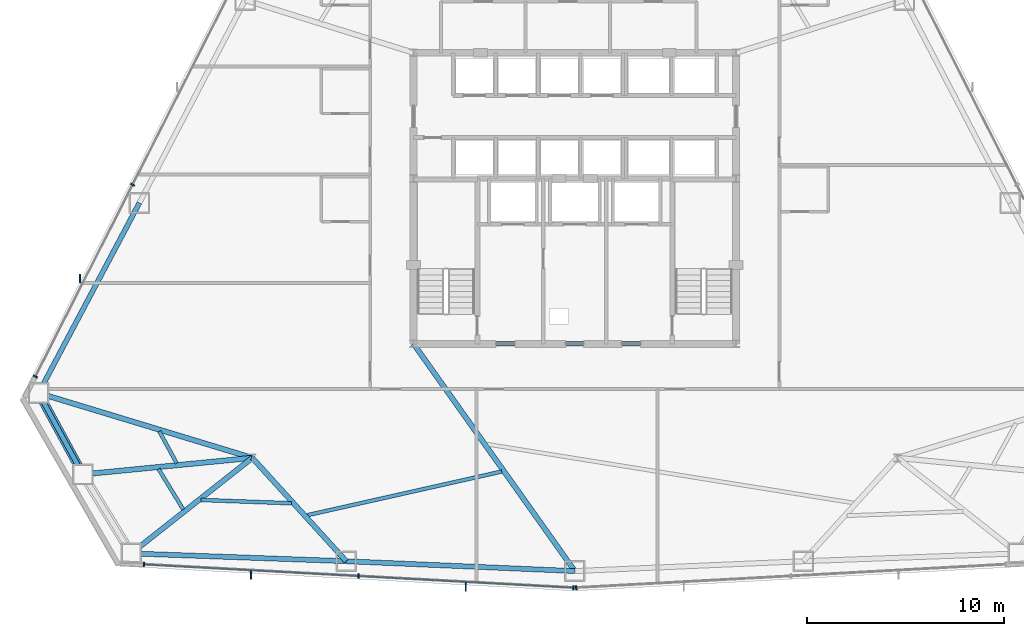
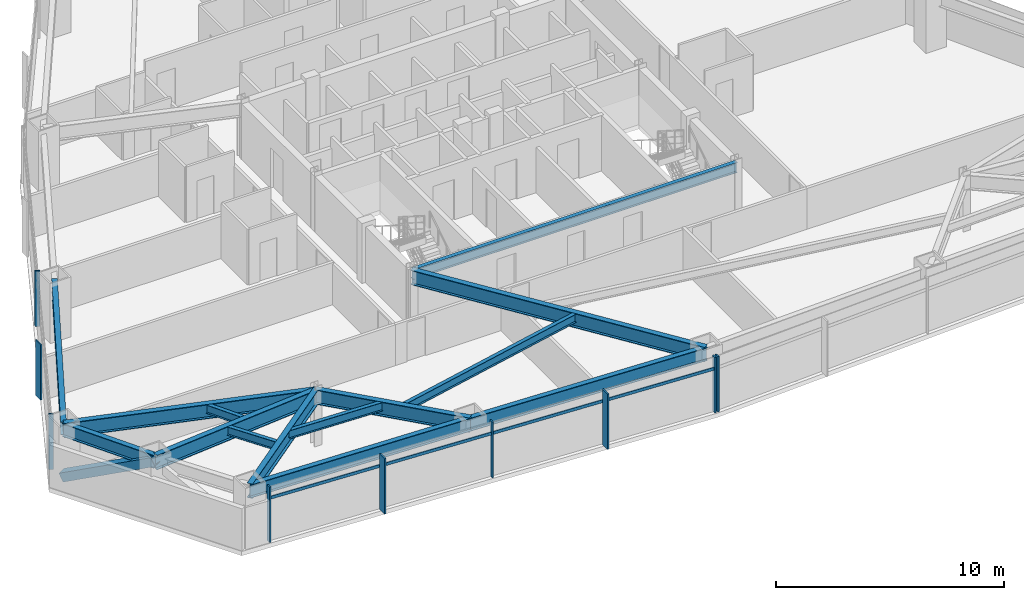
# One storey, part 4 of 12: 14 beams, 11 members, 3 elements without a shape of their own.
"""IFC4 building model written with IfcOpenShell, lengths in metres."""

import ifcopenshell
import ifcopenshell.guid

model = None  # the IFC model being written
_history = None  # IfcOwnerHistory: only IFC2X3 demands one
_inside = {}  # id of a spatial element -> (the spatial element, [elements in it])
_under = {}  # id of a project, library or spatial element -> (it, [spatial elements below it])
_declared = {}  # id of a project -> (the project, [libraries it declares])
_typed = {}  # id of a type object -> (the type object, [elements of that type])
_made_of = {}  # id of a material, layer set ... -> (it, [elements and type objects made of it])


def new_model(schema):
    """Start an empty IFC model of exactly this schema.

    Asked for "IFC4X3", IfcOpenShell would pick the latest addendum, in which some entities
    have other attributes; the version numbers below select the first issue.
    IFC2X3 requires an IfcOwnerHistory on every rooted entity: one is made here for all.
    """
    global model, _history
    if schema == "IFC4X3":
        model = ifcopenshell.file(schema_version=(4, 3, 0, 0))
    else:
        model = ifcopenshell.file(schema=schema)
    _inside.clear()
    _under.clear()
    _declared.clear()
    _typed.clear()
    _made_of.clear()
    _history = None
    if model.schema == "IFC2X3":
        org = make("IfcOrganization", Name="unknown")
        user = make(
            "IfcPersonAndOrganization",
            ThePerson=make("IfcPerson", FamilyName="unknown"),
            TheOrganization=org,
        )
        app = make(
            "IfcApplication",
            ApplicationDeveloper=org,
            Version="unknown",
            ApplicationFullName="unknown",
            ApplicationIdentifier="unknown",
        )
        _history = make(
            "IfcOwnerHistory",
            OwningUser=user,
            OwningApplication=app,
            ChangeAction="ADDED",
            CreationDate=0,
        )
    return model


def make(cls, **values):
    """One entity of the class cls with the attributes given. An attribute that is None is left unset."""
    return model.create_entity(
        cls, **{name: value for name, value in values.items() if value is not None}
    )


def rooted(cls, **values):
    """An entity with a GlobalId (a new one), such as an element, a storey or a relation."""
    return make(cls, GlobalId=ifcopenshell.guid.new(), OwnerHistory=_history, **values)


def si_unit(unit_type, name, prefix=None):
    """IfcSIUnit, for example si_unit("LENGTHUNIT", "METRE", prefix="MILLI")."""
    return make("IfcSIUnit", UnitType=unit_type, Prefix=prefix, Name=name)


def assignment(units):
    """IfcUnitAssignment: the units of a project."""
    return None if units is None else make("IfcUnitAssignment", Units=units)


def point(xyz):
    """IfcCartesianPoint."""
    return None if xyz is None else make("IfcCartesianPoint", Coordinates=xyz)


def direction(xyz):
    """IfcDirection."""
    return None if xyz is None else make("IfcDirection", DirectionRatios=xyz)


def frame(location, z_axis=None, x_axis=None):
    """IfcAxis2Placement3D, a coordinate frame: its origin and axes. An axis left out is left unset."""
    return make(
        "IfcAxis2Placement3D",
        Location=point(location),
        Axis=direction(z_axis),
        RefDirection=direction(x_axis),
    )


def frame_2d(location, x_axis=None):
    """IfcAxis2Placement2D, a coordinate frame in the plane: its origin and x axis."""
    return make(
        "IfcAxis2Placement2D", Location=point(location), RefDirection=direction(x_axis)
    )


def origin():
    """The frame at (0, 0, 0) with its axes left unset."""
    return frame((0.0, 0.0, 0.0))


def origin_2d():
    """The frame at (0, 0) in the plane with its x axis left unset."""
    return frame_2d((0.0, 0.0))


def place(relative_to, where):
    """IfcLocalPlacement: puts the frame where relative to a parent placement (None: the world)."""
    return make(
        "IfcLocalPlacement", PlacementRelTo=relative_to, RelativePlacement=where
    )


def context(
    kind, dimensions, precision=None, world=None, true_north=None, identifier=None
):
    """IfcGeometricRepresentationContext, for example the 3D "Model" context."""
    return make(
        "IfcGeometricRepresentationContext",
        ContextIdentifier=identifier,
        ContextType=kind,
        CoordinateSpaceDimension=dimensions,
        Precision=precision,
        WorldCoordinateSystem=world,
        TrueNorth=true_north,
    )


def subcontext(parent, identifier, kind, view, scale=None):
    """IfcGeometricRepresentationSubContext, for example "Body" below "Model"."""
    return make(
        "IfcGeometricRepresentationSubContext",
        ContextIdentifier=identifier,
        ContextType=kind,
        ParentContext=parent,
        TargetScale=scale,
        TargetView=view,
    )


def project(units=None, contexts=None):
    """IfcProject with its units and contexts."""
    return rooted(
        "IfcProject",
        Name="project",
        RepresentationContexts=contexts,
        UnitsInContext=assignment(units),
    )


def spatial(cls, under=None, at=None, **own):
    """A site, building, storey or space (cls), placed at a placement, below another one or the project."""
    s = rooted(cls, ObjectPlacement=at, **own)
    if under is not None:
        _under.setdefault(under.id(), (under, []))[1].append(s)
    return s


def profile(cls, at=None, kind="AREA", **sizes):
    """A parametric profile (cls). Its sizes go by their IFC names, for example OverallWidth=200.0."""
    return make(cls, ProfileType=kind, Position=at, **sizes)


def rectangle(**sizes):
    """IfcRectangleProfileDef."""
    return profile("IfcRectangleProfileDef", **sizes)


def hollow_rectangle(**sizes):
    """IfcRectangleHollowProfileDef."""
    return profile("IfcRectangleHollowProfileDef", **sizes)


def i_section(**sizes):
    """IfcIShapeProfileDef."""
    return profile("IfcIShapeProfileDef", **sizes)


def extrude(swept, where, along, depth):
    """IfcExtrudedAreaSolid: the profile swept, set in the frame where, extruded along a direction by depth."""
    return make(
        "IfcExtrudedAreaSolid",
        SweptArea=swept,
        Position=where,
        ExtrudedDirection=direction(along),
        Depth=depth,
    )


def shape(context_of_items, identifier, shape_type, items):
    """IfcShapeRepresentation: the items that make up one representation, for example the "Body"."""
    return make(
        "IfcShapeRepresentation",
        ContextOfItems=context_of_items,
        RepresentationIdentifier=identifier,
        RepresentationType=shape_type,
        Items=items,
    )


def source(mapping_origin, context_of_items, identifier, shape_type, items):
    """IfcRepresentationMap: a shape defined once, which mapped items show again and again."""
    return make(
        "IfcRepresentationMap",
        MappingOrigin=mapping_origin,
        MappedRepresentation=shape(context_of_items, identifier, shape_type, items),
    )


def transform(
    local_origin,
    x_axis=None,
    y_axis=None,
    z_axis=None,
    scale=None,
    scale2=None,
    scale3=None,
    uniform=True,
):
    """IfcCartesianTransformationOperator3D, or its non-uniform kind. x_axis, y_axis, z_axis: its Axis1, 2, 3."""
    if uniform:
        return make(
            "IfcCartesianTransformationOperator3D",
            Axis1=direction(x_axis),
            Axis2=direction(y_axis),
            LocalOrigin=point(local_origin),
            Scale=scale,
            Axis3=direction(z_axis),
        )
    return make(
        "IfcCartesianTransformationOperator3DnonUniform",
        Axis1=direction(x_axis),
        Axis2=direction(y_axis),
        LocalOrigin=point(local_origin),
        Scale=scale,
        Axis3=direction(z_axis),
        Scale2=scale2,
        Scale3=scale3,
    )


def mapped(mapping_source, mapping_target):
    """IfcMappedItem: shows the shape of a source again, moved by a transform."""
    return make(
        "IfcMappedItem", MappingSource=mapping_source, MappingTarget=mapping_target
    )


def material(Name=None, Category=None):
    """IfcMaterial."""
    return make("IfcMaterial", Name=Name, Category=Category)


def layer(
    of_material, thickness, ventilated=None, Name=None, Category=None, Priority=None
):
    """IfcMaterialLayer: one layer of a wall or slab, of a material (None: an air gap)."""
    return make(
        "IfcMaterialLayer",
        Material=of_material,
        LayerThickness=thickness,
        IsVentilated=ventilated,
        Name=Name,
        Category=Category,
        Priority=Priority,
    )


def layer_set(layers, Name=None):
    """IfcMaterialLayerSet."""
    return make("IfcMaterialLayerSet", MaterialLayers=layers, LayerSetName=Name)


def material_profile(
    of_material, cross_section, Name=None, Category=None, Priority=None
):
    """IfcMaterialProfile: a cross section and its material."""
    return make(
        "IfcMaterialProfile",
        Name=Name,
        Material=of_material,
        Profile=cross_section,
        Priority=Priority,
        Category=Category,
    )


def profile_set(profiles, Name=None, composite=None):
    """IfcMaterialProfileSet."""
    return make(
        "IfcMaterialProfileSet",
        Name=Name,
        MaterialProfiles=profiles,
        CompositeProfile=composite,
    )


def made_of(thing, what):
    """Note that an element or type object is made of a material, layer set ...; save() writes the relation."""
    if what is not None:
        _made_of.setdefault(what.id(), (what, []))[1].append(thing)
    return thing


def type_object(cls, material=None, **own):
    """A type object (cls), such as IfcWallType, which elements share."""
    return made_of(rooted(cls, **own), material)


def type_shapes(of_type, sources):
    """Give a type object the sources (RepresentationMaps) that its elements show as mapped items."""
    of_type.RepresentationMaps = sources


def element(
    cls,
    number,
    at=None,
    inside=None,
    cuts=None,
    type_object=None,
    material=None,
    context=None,
    identifier="Body",
    shape_type=None,
    held_by="IfcProductDefinitionShape",
    body=None,
    shapes=None,
    **own,
):
    """One element of the class cls, such as IfcWall. Its Tag is "e" and its number.

    at: its placement. inside: the storey or other place that contains it. cuts: it is an
    opening in that element (IfcRelVoidsElement). A single representation is given by context,
    identifier, shape_type and body (its items); several are given by shapes. held_by: the class
    of the entity that holds the representations. save() writes the other relations.
    """
    e = rooted(cls, Tag="e%d" % number, ObjectPlacement=at, **own)
    if body is not None:
        shapes = [shape(context, identifier, shape_type, body)]
    if shapes is not None:
        e.Representation = make(held_by, Representations=shapes)
    if inside is not None:
        _inside.setdefault(inside.id(), (inside, []))[1].append(e)
    if cuts is not None:
        rooted(
            "IfcRelVoidsElement", RelatingBuildingElement=cuts, RelatedOpeningElement=e
        )
    if type_object is not None:
        _typed.setdefault(type_object.id(), (type_object, []))[1].append(e)
    return made_of(e, material)


def aggregate(whole, parts):
    """IfcRelAggregates: a whole, such as a stair, and the parts it consists of."""
    return rooted("IfcRelAggregates", RelatingObject=whole, RelatedObjects=parts)


def save(model, path):
    """Write the relations noted so far, then the file.

    IfcRelAggregates (storeys below a building ...), IfcRelContainedInSpatialStructure (elements
    in a storey), IfcRelDefinesByType, IfcRelAssociatesMaterial and IfcRelDeclares: one each for
    every whole, place, type object, material and project.
    """
    for whole, parts in _under.values():
        aggregate(whole, parts)
    for where, things in _inside.values():
        rooted(
            "IfcRelContainedInSpatialStructure",
            RelatedElements=things,
            RelatingStructure=where,
        )
    for kind, things in _typed.values():
        rooted("IfcRelDefinesByType", RelatedObjects=things, RelatingType=kind)
    for what, things in _made_of.values():
        rooted("IfcRelAssociatesMaterial", RelatedObjects=things, RelatingMaterial=what)
    for by, libraries in _declared.values():
        rooted("IfcRelDeclares", RelatingContext=by, RelatedDefinitions=libraries)
    model.write(path)


model = new_model("IFC4")

# Units and contexts
model_context = context("Model", 3, precision=1e-05, world=origin(), true_north=direction((0.0, 1.0)))
body_context = subcontext(model_context, "Body", "Model", "MODEL_VIEW")
ifc_project = project(units=[si_unit("LENGTHUNIT", "METRE"), si_unit("AREAUNIT", "SQUARE_METRE"), si_unit("VOLUMEUNIT", "CUBIC_METRE"), si_unit("PLANEANGLEUNIT", "RADIAN"), si_unit("MASSUNIT", "GRAM", prefix="KILO")], contexts=[model_context])

# Site, building, storey
site_placement = place(None, origin())
site = spatial("IfcSite", under=ifc_project, at=site_placement, CompositionType="ELEMENT")
building_placement = place(site_placement, origin())
building = spatial("IfcBuilding", under=site, at=building_placement, Name="Varakhsha Concourse Tower", CompositionType="ELEMENT")
storey_placement = place(building_placement, frame((0.0, 0.0, 79.800048828125)))
storey = spatial("IfcBuildingStorey", under=building, at=storey_placement, Name="L22", CompositionType="ELEMENT", Elevation=79.800048828125)

# Beams
ifc_material_1 = material(Name="Structural Steel ASTM A992 Grade 50", Category="steel")
ifc_material_profile_1 = material_profile(ifc_material_1, i_section(OverallWidth=0.26611328125, OverallDepth=0.779052734375, WebThickness=0.01708984375, FlangeThickness=0.030029296875, at=origin_2d()), Name="W30X148")
ifc_profile_set_1 = profile_set([ifc_material_profile_1], Name="Structural Steel ASTM A992 Grade 50")
beam_type_1 = type_object("IfcBeamType", Name="BM-BASE-W30X148", PredefinedType="USERDEFINED", material=ifc_profile_set_1)
beam_1_placement = place(storey_placement, frame((23.60009765625, 10.60009765625, 2.58056640625), z_axis=(-0.9569458756, 0.290266414131, 0.0), x_axis=(-0.290266414131, -0.9569458756, 0.0)))
element("IfcBeam", 1, at=beam_1_placement, inside=storey, type_object=beam_type_1, Name="L22 Radial Floor Girder 07", ObjectType="GIRDER", PredefinedType="USERDEFINED", context=body_context, shape_type="SweptSolid", body=[
    extrude(i_section(OverallWidth=0.26611328125, OverallDepth=0.779052734375, WebThickness=0.01708984375, FlangeThickness=0.030029296875, at=origin_2d()), origin(), (0.0, 0.0, 1.0), 11.35302734375),
])
beam_2_placement = place(storey_placement, frame((23.60009765625, 10.60009765625, 2.58056640625), z_axis=(-0.995263322747, -0.097215834071, 0.0), x_axis=(0.097215834071, -0.995263322747, 0.0)))
element("IfcBeam", 2, at=beam_2_placement, inside=storey, type_object=beam_type_1, Name="L22 Radial Floor Girder 08", ObjectType="GIRDER", PredefinedType="USERDEFINED", context=body_context, shape_type="SweptSolid", body=[
    extrude(i_section(OverallWidth=0.26611328125, OverallDepth=0.779052734375, WebThickness=0.01708984375, FlangeThickness=0.030029296875, at=origin_2d()), origin(), (0.0, 0.0, 1.0), 8.654052734375),
])
beam_3_placement = place(storey_placement, frame((23.60009765625, 10.60009765625, 2.58056640625), z_axis=(-0.78494889691, -0.619560512976, 0.0), x_axis=(0.619560512976, -0.78494889691, 0.0)))
element("IfcBeam", 3, at=beam_3_placement, inside=storey, type_object=beam_type_1, Name="L22 Radial Floor Girder 09", ObjectType="GIRDER", PredefinedType="USERDEFINED", context=body_context, shape_type="SweptSolid", body=[
    extrude(i_section(OverallWidth=0.26611328125, OverallDepth=0.779052734375, WebThickness=0.01708984375, FlangeThickness=0.030029296875, at=origin_2d()), origin(), (0.0, 0.0, 1.0), 7.8427734375),
])
beam_4_placement = place(storey_placement, frame((23.60009765625, 10.60009765625, 2.58056640625), z_axis=(0.672691612759, -0.739922964993, 0.0), x_axis=(0.739922964993, 0.672691612759, 0.0)))
element("IfcBeam", 4, at=beam_4_placement, inside=storey, type_object=beam_type_1, Name="L22 Radial Floor Girder 10", ObjectType="GIRDER", PredefinedType="USERDEFINED", context=body_context, shape_type="SweptSolid", body=[
    extrude(i_section(OverallWidth=0.26611328125, OverallDepth=0.779052734375, WebThickness=0.01708984375, FlangeThickness=0.030029296875, at=origin_2d()), origin(), (0.0, 0.0, 1.0), 7.10302734375),
])
beam_5_placement = place(storey_placement, frame((31.800048828125, 16.39990234375, 2.58056640625), z_axis=(0.578691190161, -0.815546753062, 0.0), x_axis=(0.815546753062, 0.578691190161, 0.0)))
element("IfcBeam", 5, at=beam_5_placement, inside=storey, type_object=beam_type_1, Name="L22 Radial Floor Girder 11", ObjectType="GIRDER", PredefinedType="USERDEFINED", context=body_context, shape_type="SweptSolid", body=[
    extrude(i_section(OverallWidth=0.26611328125, OverallDepth=0.779052734375, WebThickness=0.01708984375, FlangeThickness=0.030029296875, at=origin_2d()), origin(), (0.0, 0.0, 1.0), 14.169921875),
])
ifc_material_profile_2 = material_profile(ifc_material_1, i_section(OverallWidth=0.19091796875, OverallDepth=0.45703125, WebThickness=0.009033203125, FlangeThickness=0.013916015625, at=origin_2d()), Name="W18X50")
ifc_profile_set_2 = profile_set([ifc_material_profile_2], Name="Structural Steel ASTM A992 Grade 50")
beam_type_2 = type_object("IfcBeamType", Name="BM-JST-W18X50", PredefinedType="JOIST", material=ifc_profile_set_2)
beam_6_placement = place(storey_placement, frame((18.872314453125, 11.953369140625, 2.741455078125), z_axis=(0.47804852113, -0.8783334284, 0.0), x_axis=(0.8783334284, 0.47804852113, 0.0)))
element("IfcBeam", 6, at=beam_6_placement, inside=storey, type_object=beam_type_2, Name="BM-TJST-L22-07", PredefinedType="JOIST", context=body_context, shape_type="SweptSolid", body=[
    extrude(i_section(OverallWidth=0.19091796875, OverallDepth=0.45703125, WebThickness=0.009033203125, FlangeThickness=0.013916015625, at=origin_2d()), origin(), (0.0, 0.0, 1.0), 1.852294921875),
])
beam_7_placement = place(storey_placement, frame((18.834228515625, 10.03515625, 2.741455078125), z_axis=(0.521666519138, -0.853149484446, 0.0), x_axis=(0.853149484446, 0.521666519138, 0.0)))
element("IfcBeam", 7, at=beam_7_placement, inside=storey, type_object=beam_type_2, Name="BM-TJST-L22-08", PredefinedType="JOIST", context=body_context, shape_type="SweptSolid", body=[
    extrude(i_section(OverallWidth=0.19091796875, OverallDepth=0.45703125, WebThickness=0.009033203125, FlangeThickness=0.013916015625, at=origin_2d()), origin(), (0.0, 0.0, 1.0), 2.417236328125),
])
beam_8_placement = place(storey_placement, frame((21.001220703125, 8.4580078125, 2.741455078125), z_axis=(0.999343002196, -0.036243122972, 0.0), x_axis=(0.036243122972, 0.999343002196, 0.0)))
element("IfcBeam", 8, at=beam_8_placement, inside=storey, type_object=beam_type_2, Name="BM-TJST-L22-09", PredefinedType="JOIST", context=body_context, shape_type="SweptSolid", body=[
    extrude(i_section(OverallWidth=0.19091796875, OverallDepth=0.45703125, WebThickness=0.009033203125, FlangeThickness=0.013916015625, at=origin_2d()), origin(), (0.0, 0.0, 1.0), 4.593994140625),
])
beam_9_placement = place(storey_placement, frame((26.383056640625, 7.68115234375, 2.741455078125), z_axis=(0.97570922124, 0.219069659211, 0.0), x_axis=(-0.219069659211, 0.97570922124, 0.0)))
element("IfcBeam", 9, at=beam_9_placement, inside=storey, type_object=beam_type_2, Name="BM-TJST-L22-10", PredefinedType="JOIST", context=body_context, shape_type="SweptSolid", body=[
    extrude(i_section(OverallWidth=0.19091796875, OverallDepth=0.45703125, WebThickness=0.009033203125, FlangeThickness=0.013916015625, at=origin_2d()), origin(), (0.0, 0.0, 1.0), 10.148193359375),
])
ifc_material_profile_3 = material_profile(ifc_material_1, i_section(OverallWidth=0.2109375, OverallDepth=0.5390625, WebThickness=0.011962890625, FlangeThickness=0.01904296875, at=origin_2d()), Name="W21X73")
ifc_profile_set_3 = profile_set([ifc_material_profile_3], Name="Structural Steel ASTM A992 Grade 50")
beam_type_3 = type_object("IfcBeamType", Name="BM-RAD-W21X73", PredefinedType="BEAM", material=ifc_profile_set_3)
beam_10_placement = place(storey_placement, frame((31.800048828125, 16.39990234375, 2.700439453125), z_axis=(1.0, 0.0, 0.0), x_axis=(0.0, 1.0, 0.0)))
element("IfcBeam", 10, at=beam_10_placement, inside=storey, type_object=beam_type_3, Name="BM-TCORE-L22-CS", PredefinedType="BEAM", context=body_context, shape_type="SweptSolid", body=[
    extrude(i_section(OverallWidth=0.2109375, OverallDepth=0.5390625, WebThickness=0.011962890625, FlangeThickness=0.01904296875, at=origin_2d()), origin(), (0.0, 0.0, 1.0), 16.39990234375),
])
ifc_material_profile_4 = material_profile(ifc_material_1, i_section(OverallWidth=0.25390625, OverallDepth=0.701904296875, WebThickness=0.014892578125, FlangeThickness=0.028076171875, at=origin_2d()), Name="W27X129")
ifc_profile_set_4 = profile_set([ifc_material_profile_4], Name="Structural Steel ASTM A992 Grade 50")
beam_type_4 = type_object("IfcBeamType", Name="BM-SPAN-W27X129", PredefinedType="SPANDREL", material=ifc_profile_set_4)
beam_11_placement = place(storey_placement, frame((17.85986328125, 23.562744140625, 2.618896484375), z_axis=(-0.46832133516, -0.88355821938, 0.0), x_axis=(0.88355821938, -0.46832133516, 0.0)))
element("IfcBeam", 11, at=beam_11_placement, inside=storey, type_object=beam_type_4, Name="BM-SPAN-L22-06", PredefinedType="SPANDREL", context=body_context, shape_type="SweptSolid", body=[
    extrude(i_section(OverallWidth=0.25390625, OverallDepth=0.701904296875, WebThickness=0.014892578125, FlangeThickness=0.028076171875, at=origin_2d()), origin(), (0.0, 0.0, 1.0), 10.941162109375),
])
beam_12_placement = place(storey_placement, frame((12.73583984375, 13.8955078125, 2.618896484375), z_axis=(0.478005647914, -0.878356761551, 0.0), x_axis=(0.878356761551, 0.478005647914, 0.0)))
element("IfcBeam", 12, at=beam_12_placement, inside=storey, type_object=beam_type_4, Name="BM-SPAN-L22-07", PredefinedType="SPANDREL", context=body_context, shape_type="SweptSolid", body=[
    extrude(i_section(OverallWidth=0.25390625, OverallDepth=0.701904296875, WebThickness=0.014892578125, FlangeThickness=0.028076171875, at=origin_2d()), origin(), (0.0, 0.0, 1.0), 4.709716796875),
])
beam_13_placement = place(storey_placement, frame((17.44384765625, 5.740966796875, 2.618896484375), z_axis=(0.999343234849, -0.036236707379, 0.0), x_axis=(0.036236707379, 0.999343234849, 0.0)))
element("IfcBeam", 13, at=beam_13_placement, inside=storey, type_object=beam_type_4, Name="BM-SPAN-L22-09", PredefinedType="SPANDREL", context=body_context, shape_type="SweptSolid", body=[
    extrude(i_section(OverallWidth=0.25390625, OverallDepth=0.701904296875, WebThickness=0.014892578125, FlangeThickness=0.028076171875, at=origin_2d()), origin(), (0.0, 0.0, 1.0), 10.94140625),
])
beam_14_placement = place(storey_placement, frame((28.378173828125, 5.344482421875, 2.618896484375), z_axis=(0.999073109275, -0.043045584251, 0.0), x_axis=(0.043045584251, 0.999073109275, 0.0)))
element("IfcBeam", 14, at=beam_14_placement, inside=storey, type_object=beam_type_4, Name="BM-SPAN-L22-10", PredefinedType="SPANDREL", context=body_context, shape_type="SweptSolid", body=[
    extrude(i_section(OverallWidth=0.25390625, OverallDepth=0.701904296875, WebThickness=0.014892578125, FlangeThickness=0.028076171875, at=origin_2d()), origin(), (0.0, 0.0, 1.0), 11.632568359375),
])

# Member
ifc_material_2 = material(Name="Structural Steel ASTM A500 Grade C", Category="steel")
ifc_material_profile_5 = material_profile(ifc_material_2, hollow_rectangle(XDim=0.449951171875, YDim=0.449951171875, WallThickness=0.01904296875, at=origin_2d()), Name="HSS 450x450x19")
ifc_profile_set_5 = profile_set([ifc_material_profile_5], Name="Structural Steel ASTM A500 Grade C")
member_type_1 = type_object("IfcMemberType", Name="MB-TUBE-HSS450", PredefinedType="BRACE", material=ifc_profile_set_5)
shared_shape_1 = source(origin(), body_context, "Body", "SweptSolid", [
    extrude(hollow_rectangle(XDim=0.449951171875, YDim=0.449951171875, WallThickness=0.01904296875, at=origin_2d()), origin(), (0.0, 0.0, 1.0), 5.355712890625),
])
type_shapes(member_type_1, [shared_shape_1])
member_1_placement = place(storey_placement, frame((12.73583984375, 13.8955078125, 0.119873046875), z_axis=(0.420343544228, -0.772400066523, 0.4761401496), x_axis=(0.878356761551, 0.478005647914, 0.0)))
element("IfcMember", 15, at=member_1_placement, inside=storey, type_object=member_type_1, Name="L22 Wind-Corner Tube Brace B03", PredefinedType="BRACE", context=body_context, shape_type="MappedRepresentation", body=[
    mapped(shared_shape_1, transform((0.0, 0.0, 0.0), scale=1.0)),
])

# Curtain wall, member
ifc_material_3 = material(Name="Anodised Bronze Architectural Aluminium AA 6063-T6", Category="aluminium")
ifc_layer = layer(ifc_material_3, 0.199951171875, Name="CW-SYS-03")
ifc_layer_set = layer_set([ifc_layer], Name="Anodised Bronze Architectural Aluminium AA 6063-T6")
curtain_wall_type = type_object("IfcCurtainWallType", Name="CW-SYS-03", PredefinedType="NOTDEFINED", material=ifc_layer_set)
curtain_wall_1_placement = place(storey_placement, origin())
curtain_wall_1 = element("IfcCurtainWall", 16, at=curtain_wall_1_placement, inside=storey, type_object=curtain_wall_type, Name="L22 Crystal Curtain Wall F5", PredefinedType="NOTDEFINED")
ifc_material_profile_6 = material_profile(ifc_material_3, rectangle(XDim=0.06494140625, YDim=0.159912109375, at=origin_2d()), Name="CWT-160X65")
ifc_profile_set_6 = profile_set([ifc_material_profile_6], Name="Anodised Bronze Architectural Aluminium AA 6063-T6")
member_type_2 = type_object("IfcMemberType", Name="CWT-160X65", PredefinedType="USERDEFINED", material=ifc_profile_set_6)
shared_shape_2 = source(origin(), body_context, "Body", "SweptSolid", [
    extrude(rectangle(XDim=0.06494140625, YDim=0.159912109375, at=origin_2d()), origin(), (0.0, 0.0, 1.0), 21.87353515625),
])
type_shapes(member_type_2, [shared_shape_2])
member_2_placement = place(storey_placement, frame((39.9287109375, 3.995849609375, 2.320068359375), z_axis=(-0.998527064655, 0.054255885865, 0.0), x_axis=(-0.054255885865, -0.998527064655, 0.0)))
member_2 = element("IfcMember", 17, at=member_2_placement, type_object=member_type_2, Name="CW-L22-F5 Transom 01", ObjectType="TRANSOM", PredefinedType="USERDEFINED", context=body_context, shape_type="MappedRepresentation", body=[
    mapped(shared_shape_2, transform((0.0, 0.0, 0.0), scale=1.0)),
])

# Curtain wall, members
curtain_wall_2_placement = place(storey_placement, origin())
curtain_wall_2 = element("IfcCurtainWall", 18, at=curtain_wall_2_placement, inside=storey, type_object=curtain_wall_type, Name="L22 Crystal Curtain Wall F3", PredefinedType="NOTDEFINED")
ifc_material_profile_7 = material_profile(ifc_material_3, rectangle(XDim=0.074951171875, YDim=0.219970703125, at=origin_2d()), Name="CWM-220X75")
ifc_profile_set_7 = profile_set([ifc_material_profile_7], Name="Anodised Bronze Architectural Aluminium AA 6063-T6")
member_type_3 = type_object("IfcMemberType", Name="CWM-220X75", PredefinedType="MULLION", material=ifc_profile_set_7)
shared_shape_3 = source(origin(), body_context, "Body", "SweptSolid", [
    extrude(rectangle(XDim=0.074951171875, YDim=0.219970703125, at=origin_2d()), origin(), (0.0, 0.0, 1.0), 2.969970703125),
])
type_shapes(member_type_3, [shared_shape_3])
member_3_placement = place(storey_placement, frame((12.57421875, 14.731689453125, 0.0), z_axis=(0.0, 0.0, 1.0), x_axis=(0.45227438453, 0.891878848891, 0.0)))
member_3 = element("IfcMember", 19, at=member_3_placement, type_object=member_type_3, Name="CW-L22-F3 Mullion 00", PredefinedType="MULLION", context=body_context, shape_type="MappedRepresentation", body=[
    mapped(shared_shape_3, transform((0.0, 0.0, 0.0), scale=1.0)),
])
member_4_placement = place(storey_placement, frame((17.5205078125, 24.486083984375, 0.0), z_axis=(0.0, 0.0, 1.0), x_axis=(0.45227438453, 0.891878848891, 0.0)))
member_4 = element("IfcMember", 20, at=member_4_placement, type_object=member_type_3, Name="CW-L22-F3 Mullion 01", PredefinedType="MULLION", context=body_context, shape_type="MappedRepresentation", body=[
    mapped(shared_shape_3, transform((0.0, 0.0, 0.0), scale=1.0)),
])

# Member
member_5_placement = place(storey_placement, frame((39.9287109375, 3.995849609375, 0.0), z_axis=(0.0, 0.0, 1.0), x_axis=(-0.998527027199, 0.054256575203, 0.0)))
member_5 = element("IfcMember", 21, at=member_5_placement, type_object=member_type_3, Name="CW-L22-F5 Mullion 00", PredefinedType="MULLION", context=body_context, shape_type="MappedRepresentation", body=[
    mapped(shared_shape_3, transform((0.0, 0.0, 0.0), scale=1.0)),
])

member_6_placement = place(storey_placement, frame((29.008056640625, 4.58935546875, 0.0), z_axis=(0.0, 0.0, 1.0), x_axis=(-0.998527027199, 0.054256575203, 0.0)))
member_6 = element("IfcMember", 22, at=member_6_placement, type_object=member_type_3, Name="CW-L22-F5 Mullion 01", PredefinedType="MULLION", context=body_context, shape_type="MappedRepresentation", body=[
    mapped(shared_shape_3, transform((0.0, 0.0, 0.0), scale=1.0)),
])

member_7_placement = place(storey_placement, frame((18.08740234375, 5.1826171875, 0.0), z_axis=(0.0, 0.0, 1.0), x_axis=(-0.998527027199, 0.054256575203, 0.0)))
member_7 = element("IfcMember", 23, at=member_7_placement, type_object=member_type_3, Name="CW-L22-F5 Mullion 02", PredefinedType="MULLION", context=body_context, shape_type="MappedRepresentation", body=[
    mapped(shared_shape_3, transform((0.0, 0.0, 0.0), scale=1.0)),
])

# Curtain wall, member
curtain_wall_3_placement = place(storey_placement, origin())
curtain_wall_3 = element("IfcCurtainWall", 24, at=curtain_wall_3_placement, inside=storey, type_object=curtain_wall_type, Name="L22 Crystal Curtain Wall F6", PredefinedType="NOTDEFINED")
member_8_placement = place(storey_placement, frame((40.0712890625, 3.995849609375, 0.0), z_axis=(0.0, 0.0, 1.0), x_axis=(-0.998527027199, -0.054256575203, 0.0)))
member_8 = element("IfcMember", 25, at=member_8_placement, type_object=member_type_3, Name="CW-L22-F6 Mullion 02", PredefinedType="MULLION", context=body_context, shape_type="MappedRepresentation", body=[
    mapped(shared_shape_3, transform((0.0, 0.0, 0.0), scale=1.0)),
])
aggregate(curtain_wall_3, [member_8])

# Member
ifc_material_profile_8 = material_profile(ifc_material_3, rectangle(XDim=0.06494140625, YDim=0.449951171875, at=origin_2d()), Name="FIN-BRZ-450")
ifc_profile_set_8 = profile_set([ifc_material_profile_8], Name="Anodised Bronze Architectural Aluminium AA 6063-T6")
member_type_4 = type_object("IfcMemberType", Name="FIN-BRZ-450", PredefinedType="USERDEFINED", material=ifc_profile_set_8)
shared_shape_4 = source(origin(), body_context, "Body", "SweptSolid", [
    extrude(rectangle(XDim=0.06494140625, YDim=0.449951171875, at=origin_2d()), origin(), (0.0, 0.0, 1.0), 2.969970703125),
])
type_shapes(member_type_4, [shared_shape_4])
member_9_placement = place(storey_placement, frame((14.83349609375, 19.71728515625, 0.0), z_axis=(0.0, 0.0, 1.0), x_axis=(1.0, 0.0, 0.0)))
member_9 = element("IfcMember", 26, at=member_9_placement, type_object=member_type_4, Name="L22 Anodised Bronze Solar Fin F3-1", ObjectType="SOLAR FIN", PredefinedType="USERDEFINED", context=body_context, shape_type="MappedRepresentation", body=[
    mapped(shared_shape_4, transform((0.0, 0.0, 0.0), scale=1.0)),
])

aggregate(curtain_wall_2, [member_3, member_4, member_9])

member_10_placement = place(storey_placement, frame((34.455322265625, 4.052978515625, 0.0), z_axis=(0.0, 0.0, 1.0), x_axis=(1.0, 0.0, 0.0)))
member_10 = element("IfcMember", 27, at=member_10_placement, type_object=member_type_4, Name="L22 Anodised Bronze Solar Fin F5-1", ObjectType="SOLAR FIN", PredefinedType="USERDEFINED", context=body_context, shape_type="MappedRepresentation", body=[
    mapped(shared_shape_4, transform((0.0, 0.0, 0.0), scale=1.0)),
])

member_11_placement = place(storey_placement, frame((23.53466796875, 4.646484375, 0.0), z_axis=(0.0, 0.0, 1.0), x_axis=(1.0, 0.0, 0.0)))
member_11 = element("IfcMember", 28, at=member_11_placement, type_object=member_type_4, Name="L22 Anodised Bronze Solar Fin F5-2", ObjectType="SOLAR FIN", PredefinedType="USERDEFINED", context=body_context, shape_type="MappedRepresentation", body=[
    mapped(shared_shape_4, transform((0.0, 0.0, 0.0), scale=1.0)),
])

aggregate(curtain_wall_1, [member_5, member_6, member_7, member_2, member_10, member_11])

save(model, "model.ifc")
